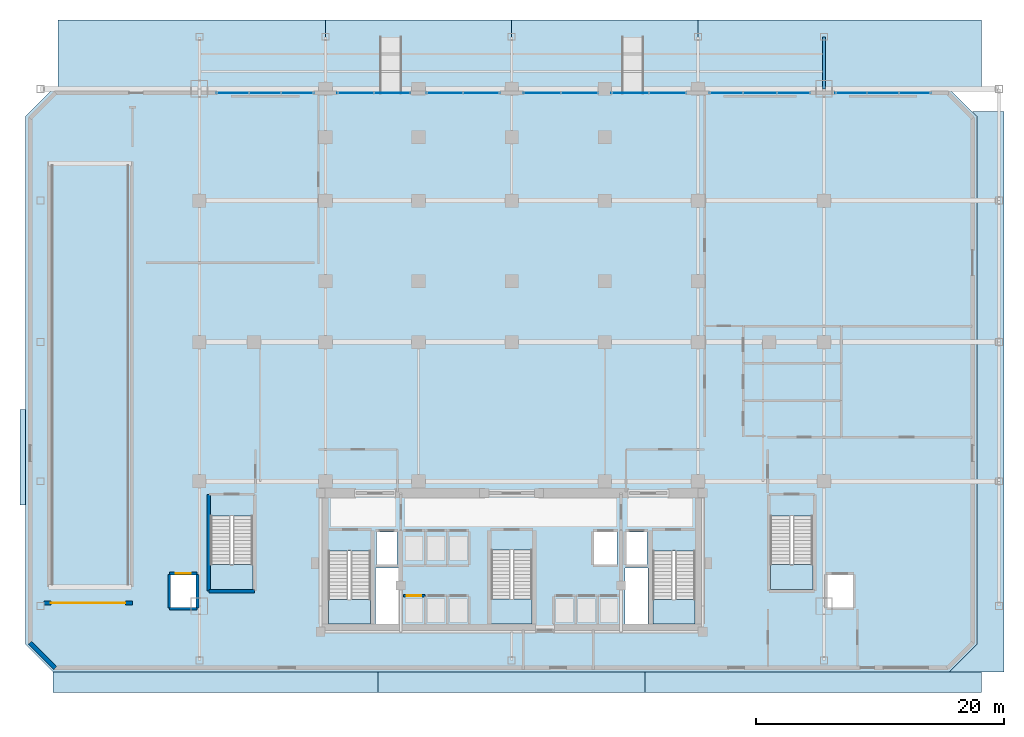
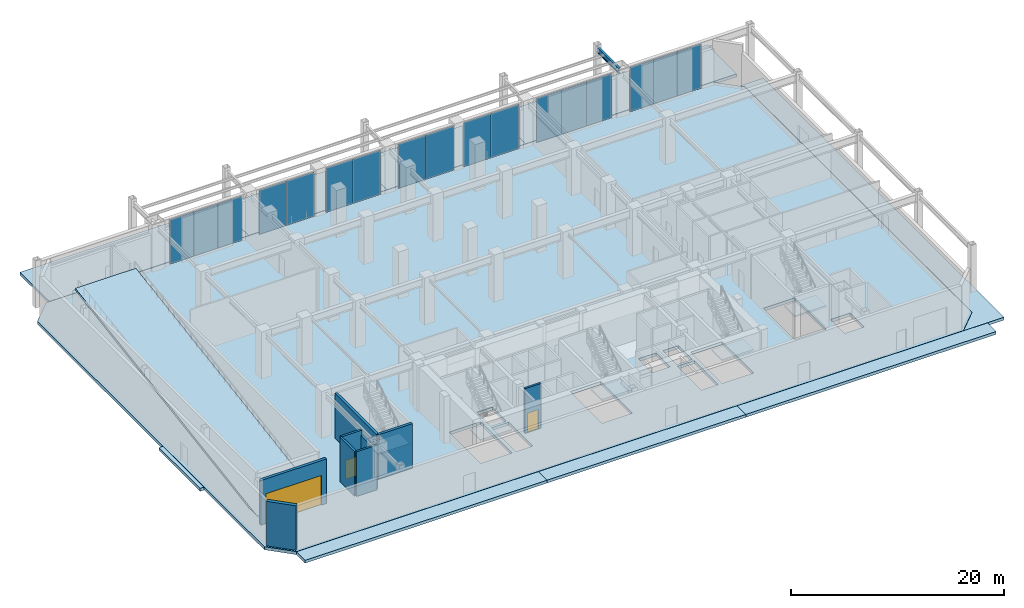
# One storey, part 15 of 23: 17 plates, 16 slabs, 9 walls, 3 doors, 1 beam, 3 openings, 12 elements without a shape of their own.
"""IFC4 building model written with IfcOpenShell, lengths in metres."""

import ifcopenshell
import ifcopenshell.guid

model = None  # the IFC model being written
_history = None  # IfcOwnerHistory: only IFC2X3 demands one
_inside = {}  # id of a spatial element -> (the spatial element, [elements in it])
_under = {}  # id of a project, library or spatial element -> (it, [spatial elements below it])
_declared = {}  # id of a project -> (the project, [libraries it declares])
_typed = {}  # id of a type object -> (the type object, [elements of that type])
_made_of = {}  # id of a material, layer set ... -> (it, [elements and type objects made of it])


def new_model(schema):
    """Start an empty IFC model of exactly this schema.

    Asked for "IFC4X3", IfcOpenShell would pick the latest addendum, in which some entities
    have other attributes; the version numbers below select the first issue.
    IFC2X3 requires an IfcOwnerHistory on every rooted entity: one is made here for all.
    """
    global model, _history
    if schema == "IFC4X3":
        model = ifcopenshell.file(schema_version=(4, 3, 0, 0))
    else:
        model = ifcopenshell.file(schema=schema)
    _inside.clear()
    _under.clear()
    _declared.clear()
    _typed.clear()
    _made_of.clear()
    _history = None
    if model.schema == "IFC2X3":
        org = make("IfcOrganization", Name="unknown")
        user = make(
            "IfcPersonAndOrganization",
            ThePerson=make("IfcPerson", FamilyName="unknown"),
            TheOrganization=org,
        )
        app = make(
            "IfcApplication",
            ApplicationDeveloper=org,
            Version="unknown",
            ApplicationFullName="unknown",
            ApplicationIdentifier="unknown",
        )
        _history = make(
            "IfcOwnerHistory",
            OwningUser=user,
            OwningApplication=app,
            ChangeAction="ADDED",
            CreationDate=0,
        )
    return model


def make(cls, **values):
    """One entity of the class cls with the attributes given. An attribute that is None is left unset."""
    return model.create_entity(
        cls, **{name: value for name, value in values.items() if value is not None}
    )


def rooted(cls, **values):
    """An entity with a GlobalId (a new one), such as an element, a storey or a relation."""
    return make(cls, GlobalId=ifcopenshell.guid.new(), OwnerHistory=_history, **values)


def si_unit(unit_type, name, prefix=None):
    """IfcSIUnit, for example si_unit("LENGTHUNIT", "METRE", prefix="MILLI")."""
    return make("IfcSIUnit", UnitType=unit_type, Prefix=prefix, Name=name)


def assignment(units):
    """IfcUnitAssignment: the units of a project."""
    return None if units is None else make("IfcUnitAssignment", Units=units)


def point(xyz):
    """IfcCartesianPoint."""
    return None if xyz is None else make("IfcCartesianPoint", Coordinates=xyz)


def direction(xyz):
    """IfcDirection."""
    return None if xyz is None else make("IfcDirection", DirectionRatios=xyz)


def frame(location, z_axis=None, x_axis=None):
    """IfcAxis2Placement3D, a coordinate frame: its origin and axes. An axis left out is left unset."""
    return make(
        "IfcAxis2Placement3D",
        Location=point(location),
        Axis=direction(z_axis),
        RefDirection=direction(x_axis),
    )


def frame_2d(location, x_axis=None):
    """IfcAxis2Placement2D, a coordinate frame in the plane: its origin and x axis."""
    return make(
        "IfcAxis2Placement2D", Location=point(location), RefDirection=direction(x_axis)
    )


def origin():
    """The frame at (0, 0, 0) with its axes left unset."""
    return frame((0.0, 0.0, 0.0))


def origin_2d():
    """The frame at (0, 0) in the plane with its x axis left unset."""
    return frame_2d((0.0, 0.0))


def place(relative_to, where):
    """IfcLocalPlacement: puts the frame where relative to a parent placement (None: the world)."""
    return make(
        "IfcLocalPlacement", PlacementRelTo=relative_to, RelativePlacement=where
    )


def context(
    kind, dimensions, precision=None, world=None, true_north=None, identifier=None
):
    """IfcGeometricRepresentationContext, for example the 3D "Model" context."""
    return make(
        "IfcGeometricRepresentationContext",
        ContextIdentifier=identifier,
        ContextType=kind,
        CoordinateSpaceDimension=dimensions,
        Precision=precision,
        WorldCoordinateSystem=world,
        TrueNorth=true_north,
    )


def subcontext(parent, identifier, kind, view, scale=None):
    """IfcGeometricRepresentationSubContext, for example "Body" below "Model"."""
    return make(
        "IfcGeometricRepresentationSubContext",
        ContextIdentifier=identifier,
        ContextType=kind,
        ParentContext=parent,
        TargetScale=scale,
        TargetView=view,
    )


def project(units=None, contexts=None):
    """IfcProject with its units and contexts."""
    return rooted(
        "IfcProject",
        Name="project",
        RepresentationContexts=contexts,
        UnitsInContext=assignment(units),
    )


def spatial(cls, under=None, at=None, **own):
    """A site, building, storey or space (cls), placed at a placement, below another one or the project."""
    s = rooted(cls, ObjectPlacement=at, **own)
    if under is not None:
        _under.setdefault(under.id(), (under, []))[1].append(s)
    return s


def polyline(points):
    """IfcPolyline through the points."""
    return make("IfcPolyline", Points=[point(p) for p in points])


def profile(cls, at=None, kind="AREA", **sizes):
    """A parametric profile (cls). Its sizes go by their IFC names, for example OverallWidth=200.0."""
    return make(cls, ProfileType=kind, Position=at, **sizes)


def rectangle(**sizes):
    """IfcRectangleProfileDef."""
    return profile("IfcRectangleProfileDef", **sizes)


def i_section(**sizes):
    """IfcIShapeProfileDef."""
    return profile("IfcIShapeProfileDef", **sizes)


def outline(outer, holes=None, kind="AREA"):
    """IfcArbitraryClosedProfileDef: a profile drawn as a closed curve; with holes, ...WithVoids."""
    if holes is None:
        return make("IfcArbitraryClosedProfileDef", ProfileType=kind, OuterCurve=outer)
    return make(
        "IfcArbitraryProfileDefWithVoids",
        ProfileType=kind,
        OuterCurve=outer,
        InnerCurves=holes,
    )


def extrude(swept, where, along, depth):
    """IfcExtrudedAreaSolid: the profile swept, set in the frame where, extruded along a direction by depth."""
    return make(
        "IfcExtrudedAreaSolid",
        SweptArea=swept,
        Position=where,
        ExtrudedDirection=direction(along),
        Depth=depth,
    )


def shape(context_of_items, identifier, shape_type, items):
    """IfcShapeRepresentation: the items that make up one representation, for example the "Body"."""
    return make(
        "IfcShapeRepresentation",
        ContextOfItems=context_of_items,
        RepresentationIdentifier=identifier,
        RepresentationType=shape_type,
        Items=items,
    )


def material(Name=None, Category=None):
    """IfcMaterial."""
    return make("IfcMaterial", Name=Name, Category=Category)


def layer(
    of_material, thickness, ventilated=None, Name=None, Category=None, Priority=None
):
    """IfcMaterialLayer: one layer of a wall or slab, of a material (None: an air gap)."""
    return make(
        "IfcMaterialLayer",
        Material=of_material,
        LayerThickness=thickness,
        IsVentilated=ventilated,
        Name=Name,
        Category=Category,
        Priority=Priority,
    )


def layer_set(layers, Name=None):
    """IfcMaterialLayerSet."""
    return make("IfcMaterialLayerSet", MaterialLayers=layers, LayerSetName=Name)


def material_profile(
    of_material, cross_section, Name=None, Category=None, Priority=None
):
    """IfcMaterialProfile: a cross section and its material."""
    return make(
        "IfcMaterialProfile",
        Name=Name,
        Material=of_material,
        Profile=cross_section,
        Priority=Priority,
        Category=Category,
    )


def profile_set(profiles, Name=None, composite=None):
    """IfcMaterialProfileSet."""
    return make(
        "IfcMaterialProfileSet",
        Name=Name,
        MaterialProfiles=profiles,
        CompositeProfile=composite,
    )


def made_of(thing, what):
    """Note that an element or type object is made of a material, layer set ...; save() writes the relation."""
    if what is not None:
        _made_of.setdefault(what.id(), (what, []))[1].append(thing)
    return thing


def type_object(cls, material=None, **own):
    """A type object (cls), such as IfcWallType, which elements share."""
    return made_of(rooted(cls, **own), material)


def element(
    cls,
    number,
    at=None,
    inside=None,
    cuts=None,
    type_object=None,
    material=None,
    context=None,
    identifier="Body",
    shape_type=None,
    held_by="IfcProductDefinitionShape",
    body=None,
    shapes=None,
    **own,
):
    """One element of the class cls, such as IfcWall. Its Tag is "e" and its number.

    at: its placement. inside: the storey or other place that contains it. cuts: it is an
    opening in that element (IfcRelVoidsElement). A single representation is given by context,
    identifier, shape_type and body (its items); several are given by shapes. held_by: the class
    of the entity that holds the representations. save() writes the other relations.
    """
    e = rooted(cls, Tag="e%d" % number, ObjectPlacement=at, **own)
    if body is not None:
        shapes = [shape(context, identifier, shape_type, body)]
    if shapes is not None:
        e.Representation = make(held_by, Representations=shapes)
    if inside is not None:
        _inside.setdefault(inside.id(), (inside, []))[1].append(e)
    if cuts is not None:
        rooted(
            "IfcRelVoidsElement", RelatingBuildingElement=cuts, RelatedOpeningElement=e
        )
    if type_object is not None:
        _typed.setdefault(type_object.id(), (type_object, []))[1].append(e)
    return made_of(e, material)


def fill(opening, filler):
    """IfcRelFillsElement: the door or window that sits in an opening."""
    return rooted(
        "IfcRelFillsElement",
        RelatingOpeningElement=opening,
        RelatedBuildingElement=filler,
    )


def aggregate(whole, parts):
    """IfcRelAggregates: a whole, such as a stair, and the parts it consists of."""
    return rooted("IfcRelAggregates", RelatingObject=whole, RelatedObjects=parts)


def save(model, path):
    """Write the relations noted so far, then the file.

    IfcRelAggregates (storeys below a building ...), IfcRelContainedInSpatialStructure (elements
    in a storey), IfcRelDefinesByType, IfcRelAssociatesMaterial and IfcRelDeclares: one each for
    every whole, place, type object, material and project.
    """
    for whole, parts in _under.values():
        aggregate(whole, parts)
    for where, things in _inside.values():
        rooted(
            "IfcRelContainedInSpatialStructure",
            RelatedElements=things,
            RelatingStructure=where,
        )
    for kind, things in _typed.values():
        rooted("IfcRelDefinesByType", RelatedObjects=things, RelatingType=kind)
    for what, things in _made_of.values():
        rooted("IfcRelAssociatesMaterial", RelatedObjects=things, RelatingMaterial=what)
    for by, libraries in _declared.values():
        rooted("IfcRelDeclares", RelatingContext=by, RelatedDefinitions=libraries)
    model.write(path)


model = new_model("IFC4")

# Units and contexts
model_context = context("Model", 3, precision=1e-05, world=origin(), true_north=direction((0.0, 1.0)))
body_context = subcontext(model_context, "Body", "Model", "MODEL_VIEW")
ifc_project = project(units=[si_unit("LENGTHUNIT", "METRE"), si_unit("AREAUNIT", "SQUARE_METRE"), si_unit("VOLUMEUNIT", "CUBIC_METRE"), si_unit("PLANEANGLEUNIT", "RADIAN"), si_unit("MASSUNIT", "GRAM", prefix="KILO")], contexts=[model_context])

# Site, building, storey
site_placement = place(None, origin())
site = spatial("IfcSite", under=ifc_project, at=site_placement, CompositionType="ELEMENT")
building_placement = place(site_placement, origin())
building = spatial("IfcBuilding", under=site, at=building_placement, Name="Ventersveld Concourse Tower", CompositionType="ELEMENT")
storey_placement = place(building_placement, origin())
storey = spatial("IfcBuildingStorey", under=building, at=storey_placement, Name="L00", CompositionType="ELEMENT", Elevation=0.0)

# Beam
ifc_material_1 = material(Name="Structural steel S355J2", Category="steel")
ifc_material_profile = material_profile(ifc_material_1, i_section(OverallWidth=0.230224609375, OverallDepth=0.6171875, WebThickness=0.01318359375, FlangeThickness=0.022216796875, FilletRadius=0.0126953125, at=origin_2d()), Name="UB 610x229x140")
ifc_profile_set = profile_set([ifc_material_profile], Name="Structural steel S355J2")
beam_type = type_object("IfcBeamType", Name="GRD-UB610", PredefinedType="USERDEFINED", material=ifc_profile_set)
beam_placement = place(storey_placement, frame((53.89990234375, 44.0, 4.79150390625), z_axis=(0.0, 1.0, 0.0), x_axis=(-1.0, 0.0, 0.0)))
element("IfcBeam", 1, at=beam_placement, inside=storey, type_object=beam_type, Name="L00 Podium N-S Girder X=53.90m", ObjectType="GIRDER", PredefinedType="USERDEFINED", context=body_context, shape_type="SweptSolid", body=[
    extrude(i_section(OverallWidth=0.230224609375, OverallDepth=0.6171875, WebThickness=0.01318359375, FlangeThickness=0.022216796875, FilletRadius=0.0126953125, at=origin_2d()), origin(), (0.0, 0.0, 1.0), 4.199951171875),
])

# Curtain wall, plates
ifc_material_2 = material(Name="Anodised aluminium EN AW-6063-T6", Category="aluminium")
curtain_wall_type = type_object("IfcCurtainWallType", Name="CW-CONC-1", PredefinedType="NOTDEFINED", material=ifc_material_2)
curtain_wall_1_placement = place(storey_placement, origin())
curtain_wall_1 = element("IfcCurtainWall", 2, at=curtain_wall_1_placement, inside=storey, type_object=curtain_wall_type, Name="L00 Station Concourse North Storefront 1", PredefinedType="NOTDEFINED")
ifc_material_3 = material(Name="Low-E double glazing IGU", Category="glass")
ifc_layer_1 = layer(ifc_material_3, 0.0380859375)
ifc_layer_set_1 = layer_set([ifc_layer_1], Name="Low-E double glazing IGU")
plate_type = type_object("IfcPlateType", Name="CWP-GLZ-38", PredefinedType="CURTAIN_PANEL", material=ifc_layer_set_1)
plate_1_placement = place(storey_placement, frame((6.300048828125, 43.669921875, 0.02001953125), z_axis=(0.0, 0.0, 1.0), x_axis=(1.0, 0.0, 0.0)))
plate_1 = element("IfcPlate", 3, at=plate_1_placement, type_object=plate_type, Name="CW-L00-N1 Glazed Panel 01-1", PredefinedType="CURTAIN_PANEL", context=body_context, shape_type="SweptSolid", body=[
    extrude(rectangle(XDim=2.590087890625, YDim=0.0380859375, at=origin_2d()), origin(), (0.0, 0.0, 1.0), 5.06005859375),
])
plate_2_placement = place(storey_placement, frame((8.89990234375, 43.669921875, 0.02001953125), z_axis=(0.0, 0.0, 1.0), x_axis=(1.0, 0.0, 0.0)))
plate_2 = element("IfcPlate", 4, at=plate_2_placement, type_object=plate_type, Name="CW-L00-N1 Glazed Panel 02-1", PredefinedType="CURTAIN_PANEL", context=body_context, shape_type="SweptSolid", body=[
    extrude(rectangle(XDim=2.590087890625, YDim=0.0380859375, at=origin_2d()), origin(), (0.0, 0.0, 1.0), 5.06005859375),
])
plate_3_placement = place(storey_placement, frame((11.5, 43.669921875, 0.02001953125), z_axis=(0.0, 0.0, 1.0), x_axis=(1.0, 0.0, 0.0)))
plate_3 = element("IfcPlate", 5, at=plate_3_placement, type_object=plate_type, Name="CW-L00-N1 Glazed Panel 03-1", PredefinedType="CURTAIN_PANEL", context=body_context, shape_type="SweptSolid", body=[
    extrude(rectangle(XDim=2.590087890625, YDim=0.0380859375, at=origin_2d()), origin(), (0.0, 0.0, 1.0), 5.06005859375),
])
aggregate(curtain_wall_1, [plate_1, plate_2, plate_3])

curtain_wall_2_placement = place(storey_placement, origin())
curtain_wall_2 = element("IfcCurtainWall", 6, at=curtain_wall_2_placement, inside=storey, type_object=curtain_wall_type, Name="L00 Station Concourse North Storefront 2A", PredefinedType="NOTDEFINED")
plate_4_placement = place(storey_placement, frame((16.175048828125, 43.669921875, 0.02001953125), z_axis=(0.0, 0.0, 1.0), x_axis=(1.0, 0.0, 0.0)))
plate_4 = element("IfcPlate", 7, at=plate_4_placement, type_object=plate_type, Name="CW-L00-N2A Glazed Panel 01-1", PredefinedType="CURTAIN_PANEL", context=body_context, shape_type="SweptSolid", body=[
    extrude(rectangle(XDim=2.93994140625, YDim=0.0380859375, at=origin_2d()), origin(), (0.0, 0.0, 1.0), 5.06005859375),
])
plate_5_placement = place(storey_placement, frame((19.125, 43.669921875, 0.02001953125), z_axis=(0.0, 0.0, 1.0), x_axis=(1.0, 0.0, 0.0)))
plate_5 = element("IfcPlate", 8, at=plate_5_placement, type_object=plate_type, Name="CW-L00-N2A Glazed Panel 02-1", PredefinedType="CURTAIN_PANEL", context=body_context, shape_type="SweptSolid", body=[
    extrude(rectangle(XDim=2.93994140625, YDim=0.0380859375, at=origin_2d()), origin(), (0.0, 0.0, 1.0), 5.06005859375),
])
aggregate(curtain_wall_2, [plate_4, plate_5])

curtain_wall_3_placement = place(storey_placement, origin())
curtain_wall_3 = element("IfcCurtainWall", 9, at=curtain_wall_3_placement, inside=storey, type_object=curtain_wall_type, Name="L00 Station Concourse North Storefront 2B", PredefinedType="NOTDEFINED")
plate_6_placement = place(storey_placement, frame((23.375, 43.669921875, 0.02001953125), z_axis=(0.0, 0.0, 1.0), x_axis=(1.0, 0.0, 0.0)))
plate_6 = element("IfcPlate", 10, at=plate_6_placement, type_object=plate_type, Name="CW-L00-N2B Glazed Panel 01-1", PredefinedType="CURTAIN_PANEL", context=body_context, shape_type="SweptSolid", body=[
    extrude(rectangle(XDim=2.93994140625, YDim=0.0380859375, at=origin_2d()), origin(), (0.0, 0.0, 1.0), 5.06005859375),
])
plate_7_placement = place(storey_placement, frame((26.324951171875, 43.669921875, 0.02001953125), z_axis=(0.0, 0.0, 1.0), x_axis=(1.0, 0.0, 0.0)))
plate_7 = element("IfcPlate", 11, at=plate_7_placement, type_object=plate_type, Name="CW-L00-N2B Glazed Panel 02-1", PredefinedType="CURTAIN_PANEL", context=body_context, shape_type="SweptSolid", body=[
    extrude(rectangle(XDim=2.93994140625, YDim=0.0380859375, at=origin_2d()), origin(), (0.0, 0.0, 1.0), 5.06005859375),
])
aggregate(curtain_wall_3, [plate_6, plate_7])

curtain_wall_4_placement = place(storey_placement, origin())
curtain_wall_4 = element("IfcCurtainWall", 12, at=curtain_wall_4_placement, inside=storey, type_object=curtain_wall_type, Name="L00 Station Concourse North Storefront 3", PredefinedType="NOTDEFINED")
plate_8_placement = place(storey_placement, frame((31.205078125, 43.669921875, 0.02001953125), z_axis=(0.0, 0.0, 1.0), x_axis=(1.0, 0.0, 0.0)))
plate_8 = element("IfcPlate", 13, at=plate_8_placement, type_object=plate_type, Name="CW-L00-N3-S1 Glazed Panel 01-1", PredefinedType="CURTAIN_PANEL", context=body_context, shape_type="SweptSolid", body=[
    extrude(rectangle(XDim=3.0, YDim=0.0380859375, at=origin_2d()), origin(), (0.0, 0.0, 1.0), 5.06005859375),
])
plate_9_placement = place(storey_placement, frame((34.215087890625, 43.669921875, 0.02001953125), z_axis=(0.0, 0.0, 1.0), x_axis=(1.0, 0.0, 0.0)))
plate_9 = element("IfcPlate", 14, at=plate_9_placement, type_object=plate_type, Name="CW-L00-N3-S1 Glazed Panel 02-1", PredefinedType="CURTAIN_PANEL", context=body_context, shape_type="SweptSolid", body=[
    extrude(rectangle(XDim=3.0, YDim=0.0380859375, at=origin_2d()), origin(), (0.0, 0.0, 1.0), 5.06005859375),
])
aggregate(curtain_wall_4, [plate_8, plate_9])

curtain_wall_5_placement = place(storey_placement, origin())
curtain_wall_5 = element("IfcCurtainWall", 15, at=curtain_wall_5_placement, inside=storey, type_object=curtain_wall_type, Name="L00 Station Concourse North Storefront 3", PredefinedType="NOTDEFINED")
plate_10_placement = place(storey_placement, frame((38.284912109375, 43.669921875, 0.02001953125), z_axis=(0.0, 0.0, 1.0), x_axis=(1.0, 0.0, 0.0)))
plate_10 = element("IfcPlate", 16, at=plate_10_placement, type_object=plate_type, Name="CW-L00-N3-S2 Glazed Panel 01-1", PredefinedType="CURTAIN_PANEL", context=body_context, shape_type="SweptSolid", body=[
    extrude(rectangle(XDim=3.0, YDim=0.0380859375, at=origin_2d()), origin(), (0.0, 0.0, 1.0), 5.06005859375),
])
plate_11_placement = place(storey_placement, frame((41.294921875, 43.669921875, 0.02001953125), z_axis=(0.0, 0.0, 1.0), x_axis=(1.0, 0.0, 0.0)))
plate_11 = element("IfcPlate", 17, at=plate_11_placement, type_object=plate_type, Name="CW-L00-N3-S2 Glazed Panel 02-1", PredefinedType="CURTAIN_PANEL", context=body_context, shape_type="SweptSolid", body=[
    extrude(rectangle(XDim=3.0, YDim=0.0380859375, at=origin_2d()), origin(), (0.0, 0.0, 1.0), 5.06005859375),
])
aggregate(curtain_wall_5, [plate_10, plate_11])

curtain_wall_6_placement = place(storey_placement, origin())
curtain_wall_6 = element("IfcCurtainWall", 18, at=curtain_wall_6_placement, inside=storey, type_object=curtain_wall_type, Name="L00 Station Concourse North Storefront 4", PredefinedType="NOTDEFINED")
plate_12_placement = place(storey_placement, frame((46.050048828125, 43.669921875, 0.02001953125), z_axis=(0.0, 0.0, 1.0), x_axis=(1.0, 0.0, 0.0)))
plate_12 = element("IfcPlate", 19, at=plate_12_placement, type_object=plate_type, Name="CW-L00-N4 Glazed Panel 01-1", PredefinedType="CURTAIN_PANEL", context=body_context, shape_type="SweptSolid", body=[
    extrude(rectangle(XDim=2.68994140625, YDim=0.0380859375, at=origin_2d()), origin(), (0.0, 0.0, 1.0), 5.06005859375),
])
plate_13_placement = place(storey_placement, frame((48.75, 43.669921875, 0.02001953125), z_axis=(0.0, 0.0, 1.0), x_axis=(1.0, 0.0, 0.0)))
plate_13 = element("IfcPlate", 20, at=plate_13_placement, type_object=plate_type, Name="CW-L00-N4 Glazed Panel 02-1", PredefinedType="CURTAIN_PANEL", context=body_context, shape_type="SweptSolid", body=[
    extrude(rectangle(XDim=2.68994140625, YDim=0.0380859375, at=origin_2d()), origin(), (0.0, 0.0, 1.0), 5.06005859375),
])
plate_14_placement = place(storey_placement, frame((51.449951171875, 43.669921875, 0.02001953125), z_axis=(0.0, 0.0, 1.0), x_axis=(1.0, 0.0, 0.0)))
plate_14 = element("IfcPlate", 21, at=plate_14_placement, type_object=plate_type, Name="CW-L00-N4 Glazed Panel 03-1", PredefinedType="CURTAIN_PANEL", context=body_context, shape_type="SweptSolid", body=[
    extrude(rectangle(XDim=2.68994140625, YDim=0.0380859375, at=origin_2d()), origin(), (0.0, 0.0, 1.0), 5.06005859375),
])
aggregate(curtain_wall_6, [plate_12, plate_13, plate_14])

curtain_wall_7_placement = place(storey_placement, origin())
curtain_wall_7 = element("IfcCurtainWall", 22, at=curtain_wall_7_placement, inside=storey, type_object=curtain_wall_type, Name="L00 Station Concourse North Storefront 5", PredefinedType="NOTDEFINED")
plate_15_placement = place(storey_placement, frame((56.083251953125, 43.669921875, 0.02001953125), z_axis=(0.0, 0.0, 1.0), x_axis=(1.0, 0.0, 0.0)))
plate_15 = element("IfcPlate", 23, at=plate_15_placement, type_object=plate_type, Name="CW-L00-N5 Glazed Panel 01-1", PredefinedType="CURTAIN_PANEL", context=body_context, shape_type="SweptSolid", body=[
    extrude(rectangle(XDim=2.556640625, YDim=0.0380859375, at=origin_2d()), origin(), (0.0, 0.0, 1.0), 5.06005859375),
])
plate_16_placement = place(storey_placement, frame((58.64990234375, 43.669921875, 0.02001953125), z_axis=(0.0, 0.0, 1.0), x_axis=(1.0, 0.0, 0.0)))
plate_16 = element("IfcPlate", 24, at=plate_16_placement, type_object=plate_type, Name="CW-L00-N5 Glazed Panel 02-1", PredefinedType="CURTAIN_PANEL", context=body_context, shape_type="SweptSolid", body=[
    extrude(rectangle(XDim=2.556640625, YDim=0.0380859375, at=origin_2d()), origin(), (0.0, 0.0, 1.0), 5.06005859375),
])
plate_17_placement = place(storey_placement, frame((61.216796875, 43.669921875, 0.02001953125), z_axis=(0.0, 0.0, 1.0), x_axis=(1.0, 0.0, 0.0)))
plate_17 = element("IfcPlate", 25, at=plate_17_placement, type_object=plate_type, Name="CW-L00-N5 Glazed Panel 03-1", PredefinedType="CURTAIN_PANEL", context=body_context, shape_type="SweptSolid", body=[
    extrude(rectangle(XDim=2.556640625, YDim=0.0380859375, at=origin_2d()), origin(), (0.0, 0.0, 1.0), 5.06005859375),
])
aggregate(curtain_wall_7, [plate_15, plate_16, plate_17])

# Slab
ifc_material_4 = material(Name="Concrete C50/60", Category="concrete")
ifc_layer_2 = layer(ifc_material_4, 0.35009765625)
ifc_layer_set_2 = layer_set([ifc_layer_2], Name="Concrete C50/60")
slab_type_1 = type_object("IfcSlabType", Name="SL-FLR-350", PredefinedType="FLOOR", material=ifc_layer_set_2)
slab_1_placement = place(storey_placement, frame((0.0, 0.0, -0.35009765625)))
element("IfcSlab", 26, at=slab_1_placement, inside=storey, type_object=slab_type_1, Name="L00 Main Station Concourse Structural Slab", PredefinedType="FLOOR", context=body_context, shape_type="SweptSolid", body=[
    extrude(outline(polyline([(-8.199951171875, -2.949951171875), (64.0, -2.949951171875), (66.199951171875, -0.75), (66.199951171875, 41.800048828125), (64.0, 44.0), (-8.199951171875, 44.0), (-10.39990234375, 41.800048828125), (-10.39990234375, -0.75), (-8.199951171875, -2.949951171875)]), holes=[polyline([(13.97998046875, 6.794921875), (13.97998046875, 0.89990234375), (17.3798828125, 0.89990234375), (17.3798828125, 6.794921875), (13.97998046875, 6.794921875)]), polyline([(40.1201171875, 6.794921875), (40.1201171875, 0.89990234375), (43.52001953125, 0.89990234375), (43.52001953125, 6.794921875), (40.1201171875, 6.794921875)]), polyline([(27.10009765625, 6.844970703125), (27.10009765625, 0.89990234375), (30.39990234375, 0.89990234375), (30.39990234375, 6.844970703125), (27.10009765625, 6.844970703125)]), polyline([(4.5, 9.594970703125), (4.5, 3.699951171875), (7.89990234375, 3.699951171875), (7.89990234375, 9.594970703125), (4.5, 9.594970703125)]), polyline([(49.60009765625, 9.594970703125), (49.60009765625, 3.699951171875), (53.0, 3.699951171875), (53.0, 9.594970703125), (49.60009765625, 9.594970703125)]), polyline([(17.85009765625, 5.699951171875), (19.530029296875, 5.699951171875), (19.530029296875, 8.300048828125), (17.85009765625, 8.300048828125), (17.85009765625, 5.699951171875)]), polyline([(37.969970703125, 5.699951171875), (39.64990234375, 5.699951171875), (39.64990234375, 8.300048828125), (37.969970703125, 8.300048828125), (37.969970703125, 5.699951171875)]), polyline([(35.35009765625, 5.699951171875), (37.25, 5.699951171875), (37.25, 8.300048828125), (35.35009765625, 8.300048828125), (35.35009765625, 5.699951171875)]), polyline([(1.25, 2.25), (3.35009765625, 2.25), (3.35009765625, 4.85009765625), (1.25, 4.85009765625), (1.25, 2.25)]), polyline([(54.14990234375, 2.25), (56.25, 2.25), (56.25, 4.85009765625), (54.14990234375, 4.85009765625), (54.14990234375, 2.25)]), polyline([(17.780029296875, 0.919921875), (19.6201171875, 0.919921875), (19.6201171875, 5.419921875), (17.780029296875, 5.419921875), (17.780029296875, 0.919921875)]), polyline([(37.8798828125, 0.919921875), (39.719970703125, 0.919921875), (39.719970703125, 5.419921875), (37.8798828125, 5.419921875), (37.8798828125, 0.919921875)])]), origin(), (0.0, 0.0, 1.0), 0.35009765625),
])

# Stair, slab
stair_type_1 = type_object("IfcStairType", Name="ST-DOG-160", PredefinedType="HALF_TURN_STAIR", material=ifc_material_4)
stair_1_placement = place(storey_placement, origin())
stair_1 = element("IfcStair", 27, at=stair_1_placement, inside=storey, type_object=stair_type_1, Name="L00 Protected Tower Escape Stair ST-01", PredefinedType="HALF_TURN_STAIR")
ifc_layer_3 = layer(ifc_material_4, 0.199951171875)
ifc_layer_set_3 = layer_set([ifc_layer_3], Name="Concrete C50/60")
slab_type_2 = type_object("IfcSlabType", Name="SL-LND-200", PredefinedType="LANDING", material=ifc_layer_set_3)
slab_2_placement = place(storey_placement, frame((0.0, 0.0, 2.5)))
slab_2 = element("IfcSlab", 28, at=slab_2_placement, type_object=slab_type_2, Name="ST-01 landing 1", PredefinedType="LANDING", context=body_context, shape_type="SweptSolid", body=[
    extrude(outline(polyline([(13.97998046875, 2.8798828125), (13.97998046875, 0.89990234375), (17.3798828125, 0.89990234375), (17.3798828125, 2.8798828125), (13.97998046875, 2.8798828125)])), origin(), (0.0, 0.0, 1.0), 0.199951171875),
])
aggregate(stair_1, [slab_2])

stair_2_placement = place(storey_placement, origin())
stair_2 = element("IfcStair", 29, at=stair_2_placement, inside=storey, type_object=stair_type_1, Name="L00 Protected Tower Escape Stair ST-02", PredefinedType="HALF_TURN_STAIR")
slab_3_placement = place(storey_placement, frame((0.0, 0.0, 2.5)))
slab_3 = element("IfcSlab", 30, at=slab_3_placement, type_object=slab_type_2, Name="ST-02 landing 1", PredefinedType="LANDING", context=body_context, shape_type="SweptSolid", body=[
    extrude(outline(polyline([(40.1201171875, 2.8798828125), (40.1201171875, 0.89990234375), (43.52001953125, 0.89990234375), (43.52001953125, 2.8798828125), (40.1201171875, 2.8798828125)])), origin(), (0.0, 0.0, 1.0), 0.199951171875),
])
aggregate(stair_2, [slab_3])

stair_type_2 = type_object("IfcStairType", Name="ST-DOG-155", PredefinedType="HALF_TURN_STAIR", material=ifc_material_4)
stair_3_placement = place(storey_placement, origin())
stair_3 = element("IfcStair", 31, at=stair_3_placement, inside=storey, type_object=stair_type_2, Name="L00 Protected Central Core Escape Stair ST-03", PredefinedType="HALF_TURN_STAIR")
slab_4_placement = place(storey_placement, frame((0.0, 0.0, 2.5)))
slab_4 = element("IfcSlab", 32, at=slab_4_placement, type_object=slab_type_2, Name="ST-03 landing 1", PredefinedType="LANDING", context=body_context, shape_type="SweptSolid", body=[
    extrude(outline(polyline([(27.10009765625, 2.929931640625), (27.10009765625, 0.89990234375), (30.39990234375, 0.89990234375), (30.39990234375, 2.929931640625), (27.10009765625, 2.929931640625)])), origin(), (0.0, 0.0, 1.0), 0.199951171875),
])
aggregate(stair_3, [slab_4])

stair_4_placement = place(storey_placement, origin())
stair_4 = element("IfcStair", 33, at=stair_4_placement, inside=storey, type_object=stair_type_1, Name="L00 Station Concourse West Escape Stair ST-04", PredefinedType="HALF_TURN_STAIR")
slab_5_placement = place(storey_placement, frame((0.0, 0.0, 2.5)))
slab_5 = element("IfcSlab", 34, at=slab_5_placement, type_object=slab_type_2, Name="ST-04 landing 1", PredefinedType="LANDING", context=body_context, shape_type="SweptSolid", body=[
    extrude(outline(polyline([(4.5, 5.679931640625), (4.5, 3.699951171875), (7.89990234375, 3.699951171875), (7.89990234375, 5.679931640625), (4.5, 5.679931640625)])), origin(), (0.0, 0.0, 1.0), 0.199951171875),
])
aggregate(stair_4, [slab_5])

stair_5_placement = place(storey_placement, origin())
stair_5 = element("IfcStair", 35, at=stair_5_placement, inside=storey, type_object=stair_type_1, Name="L00 Station Concourse East Escape Stair ST-05", PredefinedType="HALF_TURN_STAIR")
slab_6_placement = place(storey_placement, frame((0.0, 0.0, 2.5)))
slab_6 = element("IfcSlab", 36, at=slab_6_placement, type_object=slab_type_2, Name="ST-05 landing 1", PredefinedType="LANDING", context=body_context, shape_type="SweptSolid", body=[
    extrude(outline(polyline([(49.60009765625, 5.679931640625), (49.60009765625, 3.699951171875), (53.0, 3.699951171875), (53.0, 5.679931640625), (49.60009765625, 5.679931640625)])), origin(), (0.0, 0.0, 1.0), 0.199951171875),
])
aggregate(stair_5, [slab_6])

# Slabs
ifc_layer_4 = layer(ifc_material_4, 0.330078125)
ifc_layer_set_4 = layer_set([ifc_layer_4], Name="Concrete C50/60")
slab_type_3 = type_object("IfcSlabType", Name="SL-PAV-160", PredefinedType="USERDEFINED", material=ifc_layer_set_4)
slab_7_placement = place(storey_placement, frame((0.0, 0.0, -0.330078125)))
element("IfcSlab", 37, at=slab_7_placement, inside=storey, type_object=slab_type_3, Name="L00 Station Forecourt Plaza Paving PAV-L00-N1", ObjectType="PAVING", PredefinedType="USERDEFINED", context=body_context, shape_type="SweptSolid", body=[
    extrude(outline(polyline([(-7.800048828125, 49.550048828125), (13.75, 49.550048828125), (13.75, 44.02001953125), (-7.800048828125, 44.02001953125), (-7.800048828125, 49.550048828125)])), origin(), (0.0, 0.0, 1.0), 0.330078125),
])
slab_8_placement = place(storey_placement, frame((0.0, 0.0, -0.330078125)))
element("IfcSlab", 38, at=slab_8_placement, inside=storey, type_object=slab_type_3, Name="L00 Station Forecourt Plaza Paving PAV-L00-N2", ObjectType="PAVING", PredefinedType="USERDEFINED", context=body_context, shape_type="SweptSolid", body=[
    extrude(outline(polyline([(13.75, 49.550048828125), (28.75, 49.550048828125), (28.75, 44.02001953125), (13.75, 44.02001953125), (13.75, 49.550048828125)])), origin(), (0.0, 0.0, 1.0), 0.330078125),
])
slab_9_placement = place(storey_placement, frame((0.0, 0.0, -0.330078125)))
element("IfcSlab", 39, at=slab_9_placement, inside=storey, type_object=slab_type_3, Name="L00 Station Forecourt Plaza Paving PAV-L00-N3", ObjectType="PAVING", PredefinedType="USERDEFINED", context=body_context, shape_type="SweptSolid", body=[
    extrude(outline(polyline([(28.75, 49.550048828125), (43.75, 49.550048828125), (43.75, 44.02001953125), (28.75, 44.02001953125), (28.75, 49.550048828125)])), origin(), (0.0, 0.0, 1.0), 0.330078125),
])
slab_10_placement = place(storey_placement, frame((0.0, 0.0, -0.330078125)))
element("IfcSlab", 40, at=slab_10_placement, inside=storey, type_object=slab_type_3, Name="L00 Station Forecourt Plaza Paving PAV-L00-N4", ObjectType="PAVING", PredefinedType="USERDEFINED", context=body_context, shape_type="SweptSolid", body=[
    extrude(outline(polyline([(43.75, 49.550048828125), (66.60009765625, 49.550048828125), (66.60009765625, 44.02001953125), (43.75, 44.02001953125), (43.75, 49.550048828125)])), origin(), (0.0, 0.0, 1.0), 0.330078125),
])
slab_11_placement = place(storey_placement, frame((0.0, 0.0, -0.330078125)))
element("IfcSlab", 41, at=slab_11_placement, inside=storey, type_object=slab_type_3, Name="L00 Station Forecourt Plaza Paving PAV-L00-S1", ObjectType="PAVING", PredefinedType="USERDEFINED", context=body_context, shape_type="SweptSolid", body=[
    extrude(outline(polyline([(-8.199951171875, -2.969970703125), (18.0, -2.969970703125), (18.0, -4.60009765625), (-8.199951171875, -4.60009765625), (-8.199951171875, -2.969970703125)])), origin(), (0.0, 0.0, 1.0), 0.330078125),
])
slab_12_placement = place(storey_placement, frame((0.0, 0.0, -0.330078125)))
element("IfcSlab", 42, at=slab_12_placement, inside=storey, type_object=slab_type_3, Name="L00 Station Forecourt Plaza Paving PAV-L00-S2", ObjectType="PAVING", PredefinedType="USERDEFINED", context=body_context, shape_type="SweptSolid", body=[
    extrude(outline(polyline([(18.0, -2.969970703125), (39.5, -2.969970703125), (39.5, -4.60009765625), (18.0, -4.60009765625), (18.0, -2.969970703125)])), origin(), (0.0, 0.0, 1.0), 0.330078125),
])
slab_13_placement = place(storey_placement, frame((0.0, 0.0, -0.330078125)))
element("IfcSlab", 43, at=slab_13_placement, inside=storey, type_object=slab_type_3, Name="L00 Station Forecourt Plaza Paving PAV-L00-S3", ObjectType="PAVING", PredefinedType="USERDEFINED", context=body_context, shape_type="SweptSolid", body=[
    extrude(outline(polyline([(39.5, -2.969970703125), (66.60009765625, -2.969970703125), (66.60009765625, -4.60009765625), (39.5, -4.60009765625), (39.5, -2.969970703125)])), origin(), (0.0, 0.0, 1.0), 0.330078125),
])
slab_14_placement = place(storey_placement, frame((0.0, 0.0, -0.330078125)))
element("IfcSlab", 44, at=slab_14_placement, inside=storey, type_object=slab_type_3, Name="L00 Station Forecourt Plaza Paving PAV-L00-E1", ObjectType="PAVING", PredefinedType="USERDEFINED", context=body_context, shape_type="SweptSolid", body=[
    extrude(outline(polyline([(68.39990234375, 42.199951171875), (68.39990234375, -2.949951171875), (64.021240234375, -2.949951171875), (66.215087890625, -0.756103515625), (66.215087890625, 41.80615234375), (65.8212890625, 42.199951171875), (68.39990234375, 42.199951171875)])), origin(), (0.0, 0.0, 1.0), 0.330078125),
])
slab_15_placement = place(storey_placement, frame((0.0, 0.0, -0.330078125)))
element("IfcSlab", 45, at=slab_15_placement, inside=storey, type_object=slab_type_3, Name="L00 Station Forecourt Plaza Paving PAV-L00-W1", ObjectType="PAVING", PredefinedType="USERDEFINED", context=body_context, shape_type="SweptSolid", body=[
    extrude(outline(polyline([(-10.85009765625, 18.199951171875), (-10.419921875, 18.199951171875), (-10.419921875, 10.5), (-10.85009765625, 10.5), (-10.85009765625, 18.199951171875)])), origin(), (0.0, 0.0, 1.0), 0.330078125),
])
ifc_layer_5 = layer(ifc_material_4, 0.25)
ifc_layer_set_5 = layer_set([ifc_layer_5], Name="Concrete C50/60")
slab_type_4 = type_object("IfcSlabType", Name="SL-RAMP-250", PredefinedType="FLOOR", material=ifc_layer_set_5)
slab_16_placement = place(storey_placement, frame((-8.47998046875, 3.8798828125, 0.0), z_axis=(0.0, -0.156316046495, 0.987707088973), x_axis=(1.0, 0.0, 0.0)))
element("IfcSlab", 46, at=slab_16_placement, inside=storey, type_object=slab_type_4, Name="Car Park Vehicle Ramp Structural Slab L00-L01", PredefinedType="FLOOR", context=body_context, shape_type="SweptSolid", body=[
    extrude(outline(polyline([(0.0, 0.0), (6.56005859375, 0.0), (6.56005859375, 34.544677734375), (0.0, 34.544677734375), (0.0, 0.0)])), origin(), (0.0, 0.0, -1.0), 0.25),
])

# Wall, opening, door
ifc_material_5 = material(Name="Fire-rated autoclaved aerated masonry blockwork", Category="masonry")
ifc_layer_6 = layer(ifc_material_5, 0.219970703125)
ifc_layer_set_6 = layer_set([ifc_layer_6], Name="Fire-rated autoclaved aerated masonry blockwork")
wall_type_1 = type_object("IfcWallType", Name="WL-HOIST-220", PredefinedType="SOLIDWALL", material=ifc_layer_set_6)
wall_1_placement = place(storey_placement, frame((20.02001953125, 3.179931640625, 0.0), z_axis=(0.0, 0.0, 1.0), x_axis=(1.0, 0.0, 0.0)))
wall_1 = element("IfcWall", 47, at=wall_1_placement, inside=storey, type_object=wall_type_1, Name="L00 Lift Hoistway Front Wall PL-01", PredefinedType="SOLIDWALL", context=body_context, shape_type="SweptSolid", body=[
    extrude(rectangle(XDim=1.739990234375, YDim=0.219970703125, at=frame_2d((0.8701171875, 0.0))), origin(), (0.0, 0.0, 1.0), 5.10009765625),
])
opening_1_placement = place(wall_1_placement, frame((0.280029296875, 0.0, 0.0)))
opening_1 = element("IfcOpeningElement", 48, at=opening_1_placement, cuts=wall_1, Name="Opening LD2", PredefinedType="OPENING", context=body_context, shape_type="SweptSolid", body=[
    extrude(rectangle(XDim=1.179931640625, YDim=2.199951171875, at=frame_2d((0.58984375, 1.10009765625))), frame((0.0, 0.1201171875, 0.0), z_axis=(0.0, -1.0, 0.0), x_axis=(1.0, 0.0, 0.0)), (0.0, 0.0, 1.0), 0.239990234375),
])
ifc_material_6 = material(Name="Brushed stainless steel 316", Category="steel")
door_type_1 = type_object("IfcDoorType", Name="LD-PAX-118", OperationType="SLIDING_TO_LEFT", PredefinedType="DOOR", material=ifc_material_6)
door_1_placement = place(opening_1_placement, origin())
door_1 = element("IfcDoor", 49, at=door_1_placement, inside=storey, type_object=door_type_1, Name="L00 Lift landing door PL-01 (LD-L00-PL-01)", OperationType="SLIDING_TO_RIGHT", OverallHeight=2.199951171875, OverallWidth=1.179931640625, PredefinedType="DOOR", context=body_context, shape_type="SweptSolid", body=[
    extrude(rectangle(XDim=1.179931640625, YDim=2.199951171875, at=frame_2d((0.58984375, 1.10009765625))), frame((0.0, 0.02490234375, 0.0), z_axis=(0.0, -1.0, 0.0), x_axis=(1.0, 0.0, 0.0)), (0.0, 0.0, 1.0), 0.050048828125),
])
fill(opening_1, door_1)

# Walls
wall_2_placement = place(storey_placement, frame((1.199951171875, 2.139892578125, 0.0), z_axis=(0.0, 0.0, 1.0), x_axis=(1.0, 0.0, 0.0)))
element("IfcWall", 50, at=wall_2_placement, inside=storey, type_object=wall_type_1, Name="L00 Lift Hoistway Back Wall SL-01", PredefinedType="SOLIDWALL", context=body_context, shape_type="SweptSolid", body=[
    extrude(rectangle(XDim=2.199951171875, YDim=0.219970703125, at=frame_2d((1.10009765625, 0.0))), origin(), (0.0, 0.0, 1.0), 5.10009765625),
])
wall_3_placement = place(storey_placement, frame((1.159912109375, 2.199951171875, 0.0), z_axis=(0.0, 0.0, 1.0), x_axis=(0.0, 1.0, 0.0)))
element("IfcWall", 51, at=wall_3_placement, inside=storey, type_object=wall_type_1, Name="L00 Lift Hoistway Side Wall SL-01W", PredefinedType="SOLIDWALL", context=body_context, shape_type="SweptSolid", body=[
    extrude(rectangle(XDim=2.699951171875, YDim=0.219970703125, at=frame_2d((1.35009765625, 0.0))), origin(), (0.0, 0.0, 1.0), 5.10009765625),
])
wall_4_placement = place(storey_placement, frame((3.43994140625, 2.199951171875, 0.0), z_axis=(0.0, 0.0, 1.0), x_axis=(0.0, 1.0, 0.0)))
element("IfcWall", 52, at=wall_4_placement, inside=storey, type_object=wall_type_1, Name="L00 Lift Hoistway Side Wall SL-01E", PredefinedType="SOLIDWALL", context=body_context, shape_type="SweptSolid", body=[
    extrude(rectangle(XDim=2.699951171875, YDim=0.219970703125, at=frame_2d((1.35009765625, 0.0))), origin(), (0.0, 0.0, 1.0), 4.48291015625),
])

# Wall, opening, door
wall_5_placement = place(storey_placement, frame((1.179931640625, 4.97998046875, 0.0), z_axis=(0.0, 0.0, 1.0), x_axis=(1.0, 0.0, 0.0)))
wall_5 = element("IfcWall", 53, at=wall_5_placement, inside=storey, type_object=wall_type_1, Name="L00 Lift Hoistway Front Wall SL-01", PredefinedType="SOLIDWALL", context=body_context, shape_type="SweptSolid", body=[
    extrude(rectangle(XDim=2.239990234375, YDim=0.219970703125, at=frame_2d((1.1201171875, 0.0))), origin(), (0.0, 0.0, 1.0), 5.10009765625),
])
opening_2_placement = place(wall_5_placement, frame((0.530029296875, 0.0, 0.0)))
opening_2 = element("IfcOpeningElement", 54, at=opening_2_placement, cuts=wall_5, Name="Opening LD2", PredefinedType="OPENING", context=body_context, shape_type="SweptSolid", body=[
    extrude(rectangle(XDim=1.179931640625, YDim=2.199951171875, at=frame_2d((0.58984375, 1.10009765625))), frame((0.0, 0.1201171875, 0.0), z_axis=(0.0, -1.0, 0.0), x_axis=(1.0, 0.0, 0.0)), (0.0, 0.0, 1.0), 0.239990234375),
])
door_2_placement = place(opening_2_placement, origin())
door_2 = element("IfcDoor", 55, at=door_2_placement, inside=storey, type_object=door_type_1, Name="L00 Lift landing door SL-01 (LD-L00-SL-01)", OperationType="SLIDING_TO_LEFT", OverallHeight=2.199951171875, OverallWidth=1.179931640625, PredefinedType="DOOR", context=body_context, shape_type="SweptSolid", body=[
    extrude(rectangle(XDim=1.179931640625, YDim=2.199951171875, at=frame_2d((0.58984375, 1.10009765625))), frame((0.0, 0.02490234375, 0.0), z_axis=(0.0, -1.0, 0.0), x_axis=(1.0, 0.0, 0.0)), (0.0, 0.0, 1.0), 0.050048828125),
])
fill(opening_2, door_2)

ifc_material_7 = material(Name="Precast concrete C45/55", Category="concrete")
ifc_layer_7 = layer(ifc_material_7, 0.300048828125)
ifc_layer_set_7 = layer_set([ifc_layer_7], Name="Precast concrete C45/55")
wall_type_2 = type_object("IfcWallType", Name="WL-PREC-300", PredefinedType="SOLIDWALL", material=ifc_layer_set_7)
wall_6_placement = place(storey_placement, frame((-8.909912109375, 2.60009765625, 0.0), z_axis=(0.0, 0.0, 1.0), x_axis=(1.0, 0.0, 0.0)))
wall_6 = element("IfcWall", 56, at=wall_6_placement, inside=storey, type_object=wall_type_2, Name="L00 Vehicular Ramp Portal Entry Wall", PredefinedType="SOLIDWALL", context=body_context, shape_type="SweptSolid", body=[
    extrude(rectangle(XDim=7.10986328125, YDim=0.300048828125, at=frame_2d((3.554931640625, 0.0))), origin(), (0.0, 0.0, 1.0), 5.10009765625),
])
opening_3_placement = place(wall_6_placement, frame((0.554931640625, 0.0, 0.0)))
opening_3 = element("IfcOpeningElement", 57, at=opening_3_placement, cuts=wall_6, Name="Opening VG1", PredefinedType="OPENING", context=body_context, shape_type="SweptSolid", body=[
    extrude(rectangle(XDim=6.0, YDim=3.39990234375, at=frame_2d((3.0, 1.699951171875))), frame((0.0, 0.16015625, 0.0), z_axis=(0.0, -1.0, 0.0), x_axis=(1.0, 0.0, 0.0)), (0.0, 0.0, 1.0), 0.320068359375),
])
ifc_material_8 = material(Name="Galvanised painted steel", Category="steel")
door_type_2 = type_object("IfcDoorType", Name="DR-VGATE-600", OperationType="ROLLINGUP", PredefinedType="GATE", material=ifc_material_8)
door_3_placement = place(opening_3_placement, origin())
door_3 = element("IfcDoor", 58, at=door_3_placement, inside=storey, type_object=door_type_2, Name="Car Park Vehicle Entrance Roller Shutter Gate VG1", OperationType="ROLLINGUP", OverallHeight=3.39990234375, OverallWidth=6.0, PredefinedType="GATE", context=body_context, shape_type="SweptSolid", body=[
    extrude(rectangle(XDim=6.0, YDim=3.39990234375, at=frame_2d((3.0, 1.699951171875))), frame((0.0, 0.02490234375, 0.0), z_axis=(0.0, -1.0, 0.0), x_axis=(1.0, 0.0, 0.0)), (0.0, 0.0, 1.0), 0.050048828125),
])
fill(opening_3, door_3)

# Walls
ifc_layer_8 = layer(ifc_material_7, 0.35009765625)
ifc_layer_set_8 = layer_set([ifc_layer_8], Name="Precast concrete C45/55")
wall_type_3 = type_object("IfcWallType", Name="WL-PREC-350", PredefinedType="SOLIDWALL", material=ifc_layer_set_8)
wall_7_placement = place(storey_placement, frame((-10.04443359375, -0.60107421875, 0.0), z_axis=(0.0, 0.0, 1.0), x_axis=(0.707149022997, -0.707064536853, 0.0)))
element("IfcWall", 59, at=wall_7_placement, inside=storey, type_object=wall_type_3, Name="L00 Podium Precast Perimeter Wall 08", PredefinedType="SOLIDWALL", context=body_context, shape_type="SweptSolid", body=[
    extrude(rectangle(XDim=2.8896484375, YDim=0.35009765625, at=frame_2d((1.44482421875, 0.0))), origin(), (0.0, 0.0, 1.0), 5.10009765625),
])
ifc_layer_9 = layer(ifc_material_4, 0.280029296875)
ifc_layer_set_9 = layer_set([ifc_layer_9], Name="Concrete C50/60")
wall_type_4 = type_object("IfcWallType", Name="WL-SHAFT-280", PredefinedType="SHEAR", material=ifc_layer_set_9)
wall_8_placement = place(storey_placement, frame((4.360107421875, 3.56005859375, 0.0), z_axis=(0.0, 0.0, 1.0), x_axis=(1.0, 0.0, 0.0)))
element("IfcWall", 60, at=wall_8_placement, inside=storey, type_object=wall_type_4, Name="L00 ST04 Structural Shaft Wall S", PredefinedType="SHEAR", context=body_context, shape_type="SweptSolid", body=[
    extrude(rectangle(XDim=3.679931640625, YDim=0.280029296875, at=frame_2d((1.83984375, 0.0))), origin(), (0.0, 0.0, 1.0), 5.10009765625),
])
wall_9_placement = place(storey_placement, frame((4.360107421875, 3.56005859375, 0.0), z_axis=(0.0, 0.0, 1.0), x_axis=(0.0, 1.0, 0.0)))
element("IfcWall", 61, at=wall_9_placement, inside=storey, type_object=wall_type_4, Name="L00 ST04 Structural Shaft Wall W", PredefinedType="SHEAR", context=body_context, shape_type="SweptSolid", body=[
    extrude(rectangle(XDim=7.7900390625, YDim=0.280029296875, at=frame_2d((3.89501953125, 0.0))), origin(), (0.0, 0.0, 1.0), 5.10009765625),
])

save(model, "model.ifc")
